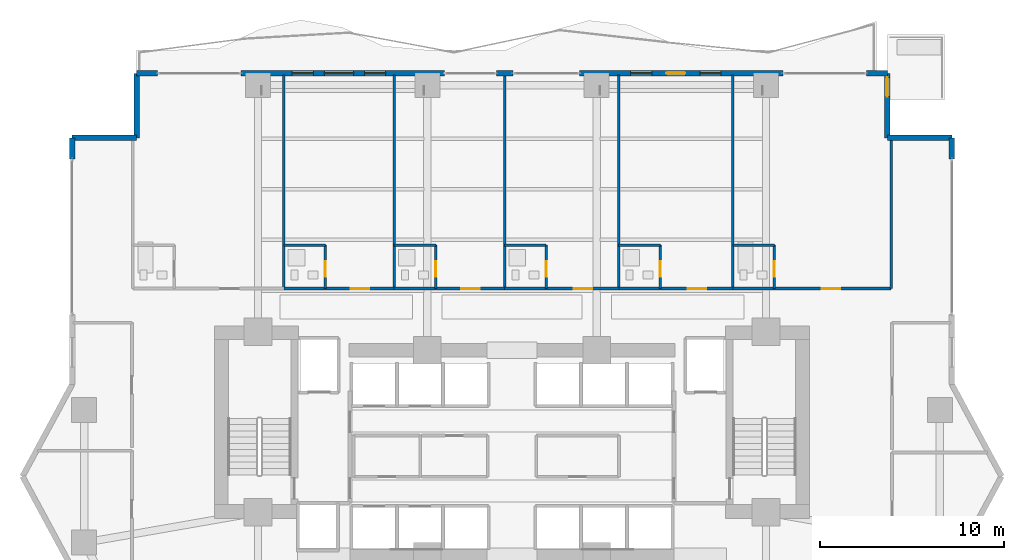
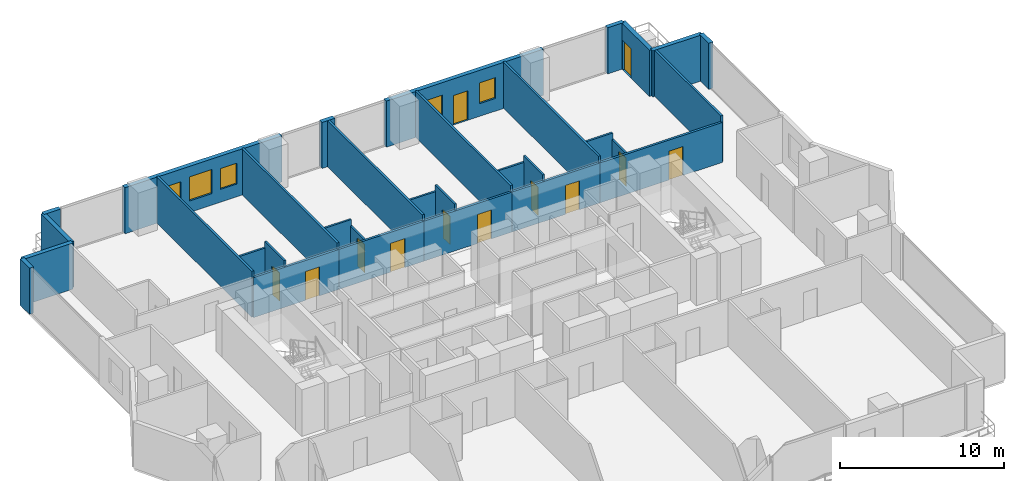
# One storey, part 24 of 29: 32 walls, 12 doors, 5 windows, 17 openings.
"""IFC4 building model written with IfcOpenShell, lengths in metres."""

from ifc_helpers import new_model, si_unit, direction, frame, frame_2d, origin, place, context, subcontext, project, spatial, rectangle, extrude, material, layer, layer_set, type_object, element, fill, save


model = new_model("IFC4")

# Units and contexts
model_context = context("Model", 3, precision=1e-05, world=origin(), true_north=direction((0.0, 1.0)))
body_context = subcontext(model_context, "Body", "Model", "MODEL_VIEW")
ifc_project = project(units=[si_unit("LENGTHUNIT", "METRE"), si_unit("AREAUNIT", "SQUARE_METRE"), si_unit("VOLUMEUNIT", "CUBIC_METRE"), si_unit("PLANEANGLEUNIT", "RADIAN"), si_unit("MASSUNIT", "GRAM", prefix="KILO")], contexts=[model_context])

# Site, building, storey
site_placement = place(None, origin())
site = spatial("IfcSite", under=ifc_project, at=site_placement, CompositionType="ELEMENT")
building_placement = place(site_placement, origin())
building = spatial("IfcBuilding", under=site, at=building_placement, Name="Zuhayl Quay Hotel", CompositionType="ELEMENT")
storey_placement = place(building_placement, frame((0.0, 0.0, 95.64990234375)))
storey = spatial("IfcBuildingStorey", under=building, at=storey_placement, Name="L23", CompositionType="ELEMENT", Elevation=95.64990234375)

# Walls
ifc_material_1 = material(Name="Precast concrete C45/55", Category="concrete")
ifc_layer_1 = layer(ifc_material_1, 0.300048828125, Name="Precast concrete C45/55", Category="concrete")
ifc_layer_set_1 = layer_set([ifc_layer_1], Name="Precast concrete C45/55")
wall_type_1 = type_object("IfcWallType", Name="WL_EXT_300", PredefinedType="STANDARD", material=ifc_layer_set_1)
wall_1_placement = place(storey_placement, frame((-23.89990234375, 23.75, 0.0), z_axis=(0.0, 0.0, 1.0), x_axis=(0.0, 1.0, 0.0)))
element("IfcWall", 1, at=wall_1_placement, inside=storey, type_object=wall_type_1, Name="L23 Exterior Precast Wall ENV_L23_E05_EW2", PredefinedType="STANDARD", context=body_context, shape_type="SweptSolid", body=[
    extrude(rectangle(XDim=1.14990234375, YDim=0.300048828125, at=frame_2d((0.574951171875, 0.0))), origin(), (0.0, 0.0, 1.0), 3.43017578125),
])
for number, where, z_axis, x_axis, name in (
    (2, (-23.89990234375, 24.89990234375, 0.0), (0.0, 0.0, 1.0), (1.0, 0.0, 0.0), "L23 Exterior Precast Wall ENV_L23_EW06"),
    (3, (-20.39990234375, 24.89990234375, 0.0), (0.0, 0.0, 1.0), (0.0, 1.0, 0.0), "L23 Exterior Precast Wall ENV_L23_EW07"),
):
    element("IfcWall", number, at=place(storey_placement, frame(where, z_axis=z_axis, x_axis=x_axis)), inside=storey, type_object=wall_type_1, Name=name, PredefinedType="STANDARD", context=body_context, shape_type="SweptSolid", body=[
        extrude(rectangle(XDim=3.5, YDim=0.300048828125, at=frame_2d((1.75, 0.0))), origin(), (0.0, 0.0, 1.0), 3.43017578125),
    ])
wall_2_placement = place(storey_placement, frame((-20.39990234375, 28.39990234375, 0.0), z_axis=(0.0, 0.0, 1.0), x_axis=(1.0, 0.0, 0.0)))
element("IfcWall", 4, at=wall_2_placement, inside=storey, type_object=wall_type_1, Name="L23 Exterior Precast Wall ENV_L23_N_EW1", PredefinedType="STANDARD", context=body_context, shape_type="SweptSolid", body=[
    extrude(rectangle(XDim=1.14990234375, YDim=0.300048828125, at=frame_2d((0.574951171875, 0.0))), origin(), (0.0, 0.0, 1.0), 3.43017578125),
])

# Wall, openings, windows
wall_3_placement = place(storey_placement, frame((-14.719970703125, 28.39990234375, 0.0), z_axis=(0.0, 0.0, 1.0), x_axis=(1.0, 0.0, 0.0)))
wall_3 = element("IfcWall", 5, at=wall_3_placement, inside=storey, type_object=wall_type_1, Name="L23 Exterior Precast Wall ENV_L23_N_EW2", PredefinedType="STANDARD", context=body_context, shape_type="SweptSolid", body=[
    extrude(rectangle(XDim=11.0400390625, YDim=0.300048828125, at=frame_2d((5.52001953125, 0.0))), origin(), (0.0, 0.0, 1.0), 3.43017578125),
])
opening_1_placement = place(wall_3_placement, frame((4.52001953125, 0.0, 0.85009765625)))
opening_1 = element("IfcOpeningElement", 6, at=opening_1_placement, cuts=wall_3, Name="Opening W01", PredefinedType="OPENING", context=body_context, shape_type="SweptSolid", body=[
    extrude(rectangle(XDim=1.60009765625, YDim=1.800048828125, at=frame_2d((0.800048828125, 0.89990234375))), frame((0.0, 0.159912109375, 0.0), z_axis=(0.0, -1.0, 0.0), x_axis=(1.0, 0.0, 0.0)), (0.0, 0.0, 1.0), 0.320068359375),
])
opening_2_placement = place(wall_3_placement, frame((2.780029296875, 0.0, 0.949951171875)))
opening_2 = element("IfcOpeningElement", 7, at=opening_2_placement, cuts=wall_3, Name="Opening W01N", PredefinedType="OPENING", context=body_context, shape_type="SweptSolid", body=[
    extrude(rectangle(XDim=1.14990234375, YDim=1.550048828125, at=frame_2d((0.574951171875, 0.77490234375))), frame((0.0, 0.159912109375, 0.0), z_axis=(0.0, -1.0, 0.0), x_axis=(1.0, 0.0, 0.0)), (0.0, 0.0, 1.0), 0.320068359375),
])
opening_3_placement = place(wall_3_placement, frame((6.7099609375, 0.0, 0.949951171875)))
opening_3 = element("IfcOpeningElement", 8, at=opening_3_placement, cuts=wall_3, Name="Opening W01N", PredefinedType="OPENING", context=body_context, shape_type="SweptSolid", body=[
    extrude(rectangle(XDim=1.14990234375, YDim=1.550048828125, at=frame_2d((0.574951171875, 0.77490234375))), frame((0.0, 0.159912109375, 0.0), z_axis=(0.0, -1.0, 0.0), x_axis=(1.0, 0.0, 0.0)), (0.0, 0.0, 1.0), 0.320068359375),
])
ifc_material_2 = material(Name="Dark Ceramic-Fritted Solar Glass", Category="glass")
window_type_1 = type_object("IfcWindowType", Name="WN_NOTCH_1350", PartitioningType="SINGLE_PANEL", PredefinedType="WINDOW", material=ifc_material_2)
window_1_placement = place(opening_2_placement, origin())
window_1 = element("IfcWindow", 9, at=window_1_placement, inside=storey, type_object=window_type_1, Name="L23 Operable Facade Window 2-1", OverallHeight=1.550048828125, OverallWidth=1.14990234375, PartitioningType="SINGLE_PANEL", PredefinedType="WINDOW", context=body_context, shape_type="SweptSolid", body=[
    extrude(rectangle(XDim=1.14990234375, YDim=1.550048828125, at=frame_2d((0.574951171875, 0.77490234375))), frame((0.0, 0.030029296875, 0.0), z_axis=(0.0, -1.0, 0.0), x_axis=(1.0, 0.0, 0.0)), (0.0, 0.0, 1.0), 0.06005859375),
])
fill(opening_2, window_1)
window_2_placement = place(opening_3_placement, origin())
window_2 = element("IfcWindow", 10, at=window_2_placement, inside=storey, type_object=window_type_1, Name="L23 Operable Facade Window 2-2", OverallHeight=1.550048828125, OverallWidth=1.14990234375, PartitioningType="SINGLE_PANEL", PredefinedType="WINDOW", context=body_context, shape_type="SweptSolid", body=[
    extrude(rectangle(XDim=1.14990234375, YDim=1.550048828125, at=frame_2d((0.574951171875, 0.77490234375))), frame((0.0, 0.030029296875, 0.0), z_axis=(0.0, -1.0, 0.0), x_axis=(1.0, 0.0, 0.0)), (0.0, 0.0, 1.0), 0.06005859375),
])
fill(opening_3, window_2)
window_type_2 = type_object("IfcWindowType", Name="WN_OPERABLE_1600", PartitioningType="DOUBLE_PANEL_VERTICAL", PredefinedType="WINDOW", material=ifc_material_2)
window_3_placement = place(opening_1_placement, origin())
window_3 = element("IfcWindow", 11, at=window_3_placement, inside=storey, type_object=window_type_2, Name="L23 North Operable Casement Window", OverallHeight=1.800048828125, OverallWidth=1.60009765625, PartitioningType="SINGLE_PANEL", PredefinedType="WINDOW", context=body_context, shape_type="SweptSolid", body=[
    extrude(rectangle(XDim=1.60009765625, YDim=1.800048828125, at=frame_2d((0.800048828125, 0.89990234375))), frame((0.0, 0.030029296875, 0.0), z_axis=(0.0, -1.0, 0.0), x_axis=(1.0, 0.0, 0.0)), (0.0, 0.0, 1.0), 0.06005859375),
])
fill(opening_1, window_3)

# Wall
wall_4_placement = place(storey_placement, frame((-0.85009765625, 28.39990234375, 0.0), z_axis=(0.0, 0.0, 1.0), x_axis=(1.0, 0.0, 0.0)))
element("IfcWall", 12, at=wall_4_placement, inside=storey, type_object=wall_type_1, Name="L23 Exterior Precast Wall ENV_L23_N_EW3", PredefinedType="STANDARD", context=body_context, shape_type="SweptSolid", body=[
    extrude(rectangle(XDim=0.900146484375, YDim=0.300048828125, at=frame_2d((0.4501953125, 0.0))), origin(), (0.0, 0.0, 1.0), 3.43017578125),
])

# Wall, openings, door, windows
wall_5_placement = place(storey_placement, frame((3.679931640625, 28.39990234375, 0.0), z_axis=(0.0, 0.0, 1.0), x_axis=(1.0, 0.0, 0.0)))
wall_5 = element("IfcWall", 13, at=wall_5_placement, inside=storey, type_object=wall_type_1, Name="L23 Exterior Precast Wall ENV_L23_N_EW4", PredefinedType="STANDARD", context=body_context, shape_type="SweptSolid", body=[
    extrude(rectangle(XDim=11.0400390625, YDim=0.300048828125, at=frame_2d((5.52001953125, 0.0))), origin(), (0.0, 0.0, 1.0), 3.43017578125),
])
opening_4_placement = place(wall_5_placement, frame((4.695068359375, 0.0, 0.0)))
opening_4 = element("IfcOpeningElement", 14, at=opening_4_placement, cuts=wall_5, Name="Opening DG1", PredefinedType="OPENING", context=body_context, shape_type="SweptSolid", body=[
    extrude(rectangle(XDim=1.050048828125, YDim=2.199951171875, at=frame_2d((0.52490234375, 1.10009765625))), frame((0.0, 0.159912109375, 0.0), z_axis=(0.0, -1.0, 0.0), x_axis=(1.0, 0.0, 0.0)), (0.0, 0.0, 1.0), 0.320068359375),
])
opening_5_placement = place(wall_5_placement, frame((2.767578125, 0.0, 0.949951171875)))
opening_5 = element("IfcOpeningElement", 15, at=opening_5_placement, cuts=wall_5, Name="Opening W01N", PredefinedType="OPENING", context=body_context, shape_type="SweptSolid", body=[
    extrude(rectangle(XDim=1.14990234375, YDim=1.550048828125, at=frame_2d((0.574951171875, 0.77490234375))), frame((0.0, 0.159912109375, 0.0), z_axis=(0.0, -1.0, 0.0), x_axis=(1.0, 0.0, 0.0)), (0.0, 0.0, 1.0), 0.320068359375),
])
opening_6_placement = place(wall_5_placement, frame((6.5224609375, 0.0, 0.949951171875)))
opening_6 = element("IfcOpeningElement", 16, at=opening_6_placement, cuts=wall_5, Name="Opening W01N", PredefinedType="OPENING", context=body_context, shape_type="SweptSolid", body=[
    extrude(rectangle(XDim=1.14990234375, YDim=1.550048828125, at=frame_2d((0.574951171875, 0.77490234375))), frame((0.0, 0.159912109375, 0.0), z_axis=(0.0, -1.0, 0.0), x_axis=(1.0, 0.0, 0.0)), (0.0, 0.0, 1.0), 0.320068359375),
])
ifc_material_3 = material(Name="Anodised Aluminium and Dark Solar Glass", Category="aluminium")
door_type_1 = type_object("IfcDoorType", Name="DR_EXT_TERR_1050", OperationType="NOTDEFINED", PredefinedType="DOOR", material=ifc_material_3)
door_1_placement = place(opening_4_placement, origin())
door_1 = element("IfcDoor", 17, at=door_1_placement, inside=storey, type_object=door_type_1, Name="L23 North Rippling Balcony Door", OperationType="SINGLE_SWING_LEFT", OverallHeight=2.199951171875, OverallWidth=1.050048828125, PredefinedType="DOOR", context=body_context, shape_type="SweptSolid", body=[
    extrude(rectangle(XDim=1.050048828125, YDim=2.199951171875, at=frame_2d((0.52490234375, 1.10009765625))), frame((0.0, 0.02490234375, 0.0), z_axis=(0.0, -1.0, 0.0), x_axis=(1.0, 0.0, 0.0)), (0.0, 0.0, 1.0), 0.050048828125),
])
fill(opening_4, door_1)
window_4_placement = place(opening_5_placement, origin())
window_4 = element("IfcWindow", 18, at=window_4_placement, inside=storey, type_object=window_type_1, Name="L23 Operable Facade Window 4-1", OverallHeight=1.550048828125, OverallWidth=1.14990234375, PartitioningType="SINGLE_PANEL", PredefinedType="WINDOW", context=body_context, shape_type="SweptSolid", body=[
    extrude(rectangle(XDim=1.14990234375, YDim=1.550048828125, at=frame_2d((0.574951171875, 0.77490234375))), frame((0.0, 0.030029296875, 0.0), z_axis=(0.0, -1.0, 0.0), x_axis=(1.0, 0.0, 0.0)), (0.0, 0.0, 1.0), 0.06005859375),
])
fill(opening_5, window_4)
window_5_placement = place(opening_6_placement, origin())
window_5 = element("IfcWindow", 19, at=window_5_placement, inside=storey, type_object=window_type_1, Name="L23 Operable Facade Window 4-2", OverallHeight=1.550048828125, OverallWidth=1.14990234375, PartitioningType="SINGLE_PANEL", PredefinedType="WINDOW", context=body_context, shape_type="SweptSolid", body=[
    extrude(rectangle(XDim=1.14990234375, YDim=1.550048828125, at=frame_2d((0.574951171875, 0.77490234375))), frame((0.0, 0.030029296875, 0.0), z_axis=(0.0, -1.0, 0.0), x_axis=(1.0, 0.0, 0.0)), (0.0, 0.0, 1.0), 0.06005859375),
])
fill(opening_6, window_5)

# Wall
wall_6_placement = place(storey_placement, frame((19.25, 28.39990234375, 0.0), z_axis=(0.0, 0.0, 1.0), x_axis=(1.0, 0.0, 0.0)))
element("IfcWall", 20, at=wall_6_placement, inside=storey, type_object=wall_type_1, Name="L23 Exterior Precast Wall ENV_L23_N_EW5", PredefinedType="STANDARD", context=body_context, shape_type="SweptSolid", body=[
    extrude(rectangle(XDim=1.14990234375, YDim=0.300048828125, at=frame_2d((0.574951171875, 0.0))), origin(), (0.0, 0.0, 1.0), 3.43017578125),
])

# Wall, opening, door
wall_7_placement = place(storey_placement, frame((20.39990234375, 28.39990234375, 0.0), z_axis=(0.0, 0.0, 1.0), x_axis=(0.0, -1.0, 0.0)))
wall_7 = element("IfcWall", 21, at=wall_7_placement, inside=storey, type_object=wall_type_1, Name="L23 Exterior Precast Wall ENV_L23_SP_NE", PredefinedType="STANDARD", context=body_context, shape_type="SweptSolid", body=[
    extrude(rectangle(XDim=3.5, YDim=0.300048828125, at=frame_2d((1.75, 0.0))), origin(), (0.0, 0.0, 1.0), 3.43017578125),
])
opening_7_placement = place(wall_7_placement, frame((0.219970703125, 0.0, 0.0)))
opening_7 = element("IfcOpeningElement", 22, at=opening_7_placement, cuts=wall_7, Name="Opening DG1", PredefinedType="OPENING", context=body_context, shape_type="SweptSolid", body=[
    extrude(rectangle(XDim=1.050048828125, YDim=2.199951171875, at=frame_2d((0.52490234375, 1.10009765625))), frame((0.0, 0.159912109375, 0.0), z_axis=(0.0, -1.0, 0.0), x_axis=(1.0, 0.0, 0.0)), (0.0, 0.0, 1.0), 0.320068359375),
])
door_2_placement = place(opening_7_placement, origin())
door_2 = element("IfcDoor", 23, at=door_2_placement, inside=storey, type_object=door_type_1, Name="L23 Spiral Sky-Terrace NE Access Door", OperationType="SINGLE_SWING_LEFT", OverallHeight=2.199951171875, OverallWidth=1.050048828125, PredefinedType="DOOR", context=body_context, shape_type="SweptSolid", body=[
    extrude(rectangle(XDim=1.050048828125, YDim=2.199951171875, at=frame_2d((0.52490234375, 1.10009765625))), frame((0.0, 0.02490234375, 0.0), z_axis=(0.0, -1.0, 0.0), x_axis=(1.0, 0.0, 0.0)), (0.0, 0.0, 1.0), 0.050048828125),
])
fill(opening_7, door_2)

# Walls
wall_8_placement = place(storey_placement, frame((20.39990234375, 24.89990234375, 0.0), z_axis=(0.0, 0.0, 1.0), x_axis=(1.0, 0.0, 0.0)))
element("IfcWall", 24, at=wall_8_placement, inside=storey, type_object=wall_type_1, Name="L23 Exterior Precast Wall ENV_L23_EW10", PredefinedType="STANDARD", context=body_context, shape_type="SweptSolid", body=[
    extrude(rectangle(XDim=3.5, YDim=0.300048828125, at=frame_2d((1.75, 0.0))), origin(), (0.0, 0.0, 1.0), 3.43017578125),
])
wall_9_placement = place(storey_placement, frame((23.89990234375, 24.89990234375, 0.0), z_axis=(0.0, 0.0, 1.0), x_axis=(0.0, -1.0, 0.0)))
element("IfcWall", 25, at=wall_9_placement, inside=storey, type_object=wall_type_1, Name="L23 Exterior Precast Wall ENV_L23_E11_EW1", PredefinedType="STANDARD", context=body_context, shape_type="SweptSolid", body=[
    extrude(rectangle(XDim=1.14990234375, YDim=0.300048828125, at=frame_2d((0.574951171875, 0.0))), origin(), (0.0, 0.0, 1.0), 3.43017578125),
])
ifc_material_4 = material(Name="Acoustic Gypsum Partition STC-58")
ifc_layer_2 = layer(ifc_material_4, 0.14990234375, Name="Acoustic Gypsum Partition STC-58")
ifc_layer_set_2 = layer_set([ifc_layer_2], Name="Acoustic Gypsum Partition STC-58")
wall_type_2 = type_object("IfcWallType", Name="WL_PART_150", PredefinedType="PARTITIONING", material=ifc_layer_set_2)
for number, where, z_axis, x_axis, name in (
    (26, (-12.39990234375, 16.699951171875, 0.0), (0.0, 0.0, 1.0), (0.0, 1.0, 0.0), "L23 Partition IW_L23_NU01_E"),
    (27, (-6.39990234375, 16.699951171875, 0.0), (0.0, 0.0, 1.0), (0.0, 1.0, 0.0), "L23 Partition IW_L23_NU02_E"),
    (28, (-0.39990234375, 16.699951171875, 0.0), (0.0, 0.0, 1.0), (0.0, 1.0, 0.0), "L23 Partition IW_L23_NU03_E"),
    (29, (5.800048828125, 16.699951171875, 0.0), (0.0, 0.0, 1.0), (0.0, 1.0, 0.0), "L23 Partition IW_L23_NU04_E"),
    (30, (12.0, 16.699951171875, 0.0), (0.0, 0.0, 1.0), (0.0, 1.0, 0.0), "L23 Partition IW_L23_NU05_E"),
):
    element("IfcWall", number, at=place(storey_placement, frame(where, z_axis=z_axis, x_axis=x_axis)), inside=storey, type_object=wall_type_2, Name=name, PredefinedType="PARTITIONING", context=body_context, shape_type="SweptSolid", body=[
        extrude(rectangle(XDim=11.6201171875, YDim=0.14990234375, at=frame_2d((5.81005859375, 0.0))), origin(), (0.0, 0.0, 1.0), 3.43017578125),
    ])
wall_10_placement = place(storey_placement, frame((20.60009765625, 16.699951171875, 0.0), z_axis=(0.0, 0.0, 1.0), x_axis=(0.0, 1.0, 0.0)))
element("IfcWall", 31, at=wall_10_placement, inside=storey, type_object=wall_type_2, Name="L23 Partition IW_L23_NU06_E", PredefinedType="PARTITIONING", context=body_context, shape_type="SweptSolid", body=[
    extrude(rectangle(XDim=8.199951171875, YDim=0.14990234375, at=frame_2d((4.10009765625, 0.0))), origin(), (0.0, 0.0, 1.0), 3.43017578125),
])

# Wall, opening, door
ifc_layer_3 = layer(ifc_material_4, 0.159912109375, Name="Acoustic Gypsum Partition STC-58")
ifc_layer_set_3 = layer_set([ifc_layer_3], Name="Acoustic Gypsum Partition STC-58")
wall_type_3 = type_object("IfcWallType", Name="WL_PART_CORR_160", PredefinedType="PARTITIONING", material=ifc_layer_set_3)
wall_11_placement = place(storey_placement, frame((-12.39990234375, 16.699951171875, 0.0), z_axis=(0.0, 0.0, 1.0), x_axis=(1.0, 0.0, 0.0)))
wall_11 = element("IfcWall", 32, at=wall_11_placement, inside=storey, type_object=wall_type_3, Name="L23 Partition IW_L23_NU02_COR", PredefinedType="PARTITIONING", context=body_context, shape_type="SweptSolid", body=[
    extrude(rectangle(XDim=6.0, YDim=0.159912109375, at=frame_2d((3.0, 0.0))), origin(), (0.0, 0.0, 1.0), 2.97314453125),
])
opening_8_placement = place(wall_11_placement, frame((3.64990234375, 0.0, 0.0)))
opening_8 = element("IfcOpeningElement", 33, at=opening_8_placement, cuts=wall_11, Name="Opening D03L", PredefinedType="OPENING", context=body_context, shape_type="SweptSolid", body=[
    extrude(rectangle(XDim=1.0, YDim=2.14990234375, at=frame_2d((0.5, 1.074951171875))), frame((0.0, 0.08984375, 0.0), z_axis=(0.0, -1.0, 0.0), x_axis=(1.0, 0.0, 0.0)), (0.0, 0.0, 1.0), 0.179931640625),
])
ifc_material_5 = material(Name="Solid Walnut Acoustic Fire Door")
door_type_2 = type_object("IfcDoorType", Name="DR_SUITE_1000", OperationType="NOTDEFINED", PredefinedType="DOOR", material=ifc_material_5)
door_3_placement = place(opening_8_placement, origin())
door_3 = element("IfcDoor", 34, at=door_3_placement, inside=storey, type_object=door_type_2, Name="L23 Executive Suite L23-02 Entrance Door", OperationType="SINGLE_SWING_LEFT", OverallHeight=2.14990234375, OverallWidth=1.0, PredefinedType="DOOR", context=body_context, shape_type="SweptSolid", body=[
    extrude(rectangle(XDim=1.0, YDim=2.14990234375, at=frame_2d((0.5, 1.074951171875))), frame((0.0, 0.02490234375, 0.0), z_axis=(0.0, -1.0, 0.0), x_axis=(1.0, 0.0, 0.0)), (0.0, 0.0, 1.0), 0.050048828125),
])
fill(opening_8, door_3)

wall_12_placement = place(storey_placement, frame((-6.39990234375, 16.699951171875, 0.0), z_axis=(0.0, 0.0, 1.0), x_axis=(1.0, 0.0, 0.0)))
wall_12 = element("IfcWall", 35, at=wall_12_placement, inside=storey, type_object=wall_type_3, Name="L23 Partition IW_L23_NU03_COR", PredefinedType="PARTITIONING", context=body_context, shape_type="SweptSolid", body=[
    extrude(rectangle(XDim=6.0, YDim=0.159912109375, at=frame_2d((3.0, 0.0))), origin(), (0.0, 0.0, 1.0), 2.97314453125),
])
opening_9_placement = place(wall_12_placement, frame((3.64990234375, 0.0, 0.0)))
opening_9 = element("IfcOpeningElement", 36, at=opening_9_placement, cuts=wall_12, Name="Opening D03L", PredefinedType="OPENING", context=body_context, shape_type="SweptSolid", body=[
    extrude(rectangle(XDim=1.0, YDim=2.14990234375, at=frame_2d((0.5, 1.074951171875))), frame((0.0, 0.08984375, 0.0), z_axis=(0.0, -1.0, 0.0), x_axis=(1.0, 0.0, 0.0)), (0.0, 0.0, 1.0), 0.179931640625),
])
door_4_placement = place(opening_9_placement, origin())
door_4 = element("IfcDoor", 37, at=door_4_placement, inside=storey, type_object=door_type_2, Name="L23 Executive Suite L23-03 Entrance Door", OperationType="SINGLE_SWING_LEFT", OverallHeight=2.14990234375, OverallWidth=1.0, PredefinedType="DOOR", context=body_context, shape_type="SweptSolid", body=[
    extrude(rectangle(XDim=1.0, YDim=2.14990234375, at=frame_2d((0.5, 1.074951171875))), frame((0.0, 0.02490234375, 0.0), z_axis=(0.0, -1.0, 0.0), x_axis=(1.0, 0.0, 0.0)), (0.0, 0.0, 1.0), 0.050048828125),
])
fill(opening_9, door_4)

wall_13_placement = place(storey_placement, frame((-0.39990234375, 16.699951171875, 0.0), z_axis=(0.0, 0.0, 1.0), x_axis=(1.0, 0.0, 0.0)))
wall_13 = element("IfcWall", 38, at=wall_13_placement, inside=storey, type_object=wall_type_3, Name="L23 Partition IW_L23_NU04_COR", PredefinedType="PARTITIONING", context=body_context, shape_type="SweptSolid", body=[
    extrude(rectangle(XDim=6.199951171875, YDim=0.159912109375, at=frame_2d((3.10009765625, 0.0))), origin(), (0.0, 0.0, 1.0), 2.97314453125),
])
opening_10_placement = place(wall_13_placement, frame((3.75, 0.0, 0.0)))
opening_10 = element("IfcOpeningElement", 39, at=opening_10_placement, cuts=wall_13, Name="Opening D03L", PredefinedType="OPENING", context=body_context, shape_type="SweptSolid", body=[
    extrude(rectangle(XDim=1.0, YDim=2.14990234375, at=frame_2d((0.5, 1.074951171875))), frame((0.0, 0.08984375, 0.0), z_axis=(0.0, -1.0, 0.0), x_axis=(1.0, 0.0, 0.0)), (0.0, 0.0, 1.0), 0.179931640625),
])
door_5_placement = place(opening_10_placement, origin())
door_5 = element("IfcDoor", 40, at=door_5_placement, inside=storey, type_object=door_type_2, Name="L23 Executive Suite L23-04 Entrance Door", OperationType="SINGLE_SWING_LEFT", OverallHeight=2.14990234375, OverallWidth=1.0, PredefinedType="DOOR", context=body_context, shape_type="SweptSolid", body=[
    extrude(rectangle(XDim=1.0, YDim=2.14990234375, at=frame_2d((0.5, 1.074951171875))), frame((0.0, 0.02490234375, 0.0), z_axis=(0.0, -1.0, 0.0), x_axis=(1.0, 0.0, 0.0)), (0.0, 0.0, 1.0), 0.050048828125),
])
fill(opening_10, door_5)

wall_14_placement = place(storey_placement, frame((5.800048828125, 16.699951171875, 0.0), z_axis=(0.0, 0.0, 1.0), x_axis=(1.0, 0.0, 0.0)))
wall_14 = element("IfcWall", 41, at=wall_14_placement, inside=storey, type_object=wall_type_3, Name="L23 Partition IW_L23_NU05_COR", PredefinedType="PARTITIONING", context=body_context, shape_type="SweptSolid", body=[
    extrude(rectangle(XDim=6.199951171875, YDim=0.159912109375, at=frame_2d((3.10009765625, 0.0))), origin(), (0.0, 0.0, 1.0), 2.97314453125),
])
opening_11_placement = place(wall_14_placement, frame((3.75, 0.0, 0.0)))
opening_11 = element("IfcOpeningElement", 42, at=opening_11_placement, cuts=wall_14, Name="Opening D03L", PredefinedType="OPENING", context=body_context, shape_type="SweptSolid", body=[
    extrude(rectangle(XDim=1.0, YDim=2.14990234375, at=frame_2d((0.5, 1.074951171875))), frame((0.0, 0.08984375, 0.0), z_axis=(0.0, -1.0, 0.0), x_axis=(1.0, 0.0, 0.0)), (0.0, 0.0, 1.0), 0.179931640625),
])
door_6_placement = place(opening_11_placement, origin())
door_6 = element("IfcDoor", 43, at=door_6_placement, inside=storey, type_object=door_type_2, Name="L23 Executive Suite L23-05 Entrance Door", OperationType="SINGLE_SWING_LEFT", OverallHeight=2.14990234375, OverallWidth=1.0, PredefinedType="DOOR", context=body_context, shape_type="SweptSolid", body=[
    extrude(rectangle(XDim=1.0, YDim=2.14990234375, at=frame_2d((0.5, 1.074951171875))), frame((0.0, 0.02490234375, 0.0), z_axis=(0.0, -1.0, 0.0), x_axis=(1.0, 0.0, 0.0)), (0.0, 0.0, 1.0), 0.050048828125),
])
fill(opening_11, door_6)

wall_15_placement = place(storey_placement, frame((12.0, 16.699951171875, 0.0), z_axis=(0.0, 0.0, 1.0), x_axis=(1.0, 0.0, 0.0)))
wall_15 = element("IfcWall", 44, at=wall_15_placement, inside=storey, type_object=wall_type_3, Name="L23 Partition IW_L23_NU06_COR", PredefinedType="PARTITIONING", context=body_context, shape_type="SweptSolid", body=[
    extrude(rectangle(XDim=8.60009765625, YDim=0.159912109375, at=frame_2d((4.300048828125, 0.0))), origin(), (0.0, 0.0, 1.0), 2.97314453125),
])
opening_12_placement = place(wall_15_placement, frame((4.824951171875, 0.0, 0.0)))
opening_12 = element("IfcOpeningElement", 45, at=opening_12_placement, cuts=wall_15, Name="Opening D03L", PredefinedType="OPENING", context=body_context, shape_type="SweptSolid", body=[
    extrude(rectangle(XDim=1.0, YDim=2.14990234375, at=frame_2d((0.5, 1.074951171875))), frame((0.0, 0.08984375, 0.0), z_axis=(0.0, -1.0, 0.0), x_axis=(1.0, 0.0, 0.0)), (0.0, 0.0, 1.0), 0.179931640625),
])
door_7_placement = place(opening_12_placement, origin())
door_7 = element("IfcDoor", 46, at=door_7_placement, inside=storey, type_object=door_type_2, Name="L23 Executive Suite L23-06 Entrance Door", OperationType="SINGLE_SWING_LEFT", OverallHeight=2.14990234375, OverallWidth=1.0, PredefinedType="DOOR", context=body_context, shape_type="SweptSolid", body=[
    extrude(rectangle(XDim=1.0, YDim=2.14990234375, at=frame_2d((0.5, 1.074951171875))), frame((0.0, 0.02490234375, 0.0), z_axis=(0.0, -1.0, 0.0), x_axis=(1.0, 0.0, 0.0)), (0.0, 0.0, 1.0), 0.050048828125),
])
fill(opening_12, door_7)

ifc_material_6 = material(Name="Moisture-Resistant Sanitarychase Gypsum")
ifc_layer_4 = layer(ifc_material_6, 0.135009765625, Name="Moisture-Resistant Sanitarychase Gypsum")
ifc_layer_set_4 = layer_set([ifc_layer_4], Name="Moisture-Resistant Sanitarychase Gypsum")
wall_type_4 = type_object("IfcWallType", Name="WL_PART_PLUMB_150", PredefinedType="PLUMBINGWALL", material=ifc_layer_set_4)
wall_16_placement = place(storey_placement, frame((-10.139892578125, 16.699951171875, 0.0), z_axis=(0.0, 0.0, 1.0), x_axis=(0.0, 1.0, 0.0)))
wall_16 = element("IfcWall", 47, at=wall_16_placement, inside=storey, type_object=wall_type_4, Name="L23 Partition IW_L23_NU02_BE", PredefinedType="PLUMBINGWALL", context=body_context, shape_type="SweptSolid", body=[
    extrude(rectangle(XDim=2.360107421875, YDim=0.135009765625, at=frame_2d((1.18017578125, 0.0))), origin(), (0.0, 0.0, 1.0), 3.43017578125),
])
opening_13_placement = place(wall_16_placement, frame((0.64990234375, 0.0, 0.0)))
opening_13 = element("IfcOpeningElement", 48, at=opening_13_placement, cuts=wall_16, Name="Opening D04", PredefinedType="OPENING", context=body_context, shape_type="SweptSolid", body=[
    extrude(rectangle(XDim=0.85009765625, YDim=2.10009765625, at=frame_2d((0.425048828125, 1.050048828125))), frame((0.0, 0.077392578125, 0.0), z_axis=(0.0, -1.0, 0.0), x_axis=(1.0, 0.0, 0.0)), (0.0, 0.0, 1.0), 0.155029296875),
])
ifc_material_7 = material(Name="Moisture-Resistant Walnut Veneer")
door_type_3 = type_object("IfcDoorType", Name="DR_BATH_850", OperationType="NOTDEFINED", PredefinedType="DOOR", material=ifc_material_7)
door_8_placement = place(opening_13_placement, origin())
door_8 = element("IfcDoor", 49, at=door_8_placement, inside=storey, type_object=door_type_3, Name="L23 Executive Suite L23-02 En-Suite Door", OperationType="SINGLE_SWING_RIGHT", OverallHeight=2.10009765625, OverallWidth=0.85009765625, PredefinedType="DOOR", context=body_context, shape_type="SweptSolid", body=[
    extrude(rectangle(XDim=0.85009765625, YDim=2.10009765625, at=frame_2d((0.425048828125, 1.050048828125))), frame((0.0, 0.02490234375, 0.0), z_axis=(0.0, -1.0, 0.0), x_axis=(1.0, 0.0, 0.0)), (0.0, 0.0, 1.0), 0.050048828125),
])
fill(opening_13, door_8)

wall_17_placement = place(storey_placement, frame((-4.139892578125, 16.699951171875, 0.0), z_axis=(0.0, 0.0, 1.0), x_axis=(0.0, 1.0, 0.0)))
wall_17 = element("IfcWall", 50, at=wall_17_placement, inside=storey, type_object=wall_type_4, Name="L23 Partition IW_L23_NU03_BE", PredefinedType="PLUMBINGWALL", context=body_context, shape_type="SweptSolid", body=[
    extrude(rectangle(XDim=2.360107421875, YDim=0.135009765625, at=frame_2d((1.18017578125, 0.0))), origin(), (0.0, 0.0, 1.0), 2.503173828125),
])
opening_14_placement = place(wall_17_placement, frame((0.64990234375, 0.0, 0.0)))
opening_14 = element("IfcOpeningElement", 51, at=opening_14_placement, cuts=wall_17, Name="Opening D04", PredefinedType="OPENING", context=body_context, shape_type="SweptSolid", body=[
    extrude(rectangle(XDim=0.85009765625, YDim=2.10009765625, at=frame_2d((0.425048828125, 1.050048828125))), frame((0.0, 0.077392578125, 0.0), z_axis=(0.0, -1.0, 0.0), x_axis=(1.0, 0.0, 0.0)), (0.0, 0.0, 1.0), 0.155029296875),
])
door_9_placement = place(opening_14_placement, origin())
door_9 = element("IfcDoor", 52, at=door_9_placement, inside=storey, type_object=door_type_3, Name="L23 Executive Suite L23-03 En-Suite Door", OperationType="SINGLE_SWING_RIGHT", OverallHeight=2.10009765625, OverallWidth=0.85009765625, PredefinedType="DOOR", context=body_context, shape_type="SweptSolid", body=[
    extrude(rectangle(XDim=0.85009765625, YDim=2.10009765625, at=frame_2d((0.425048828125, 1.050048828125))), frame((0.0, 0.02490234375, 0.0), z_axis=(0.0, -1.0, 0.0), x_axis=(1.0, 0.0, 0.0)), (0.0, 0.0, 1.0), 0.050048828125),
])
fill(opening_14, door_9)

wall_18_placement = place(storey_placement, frame((1.860107421875, 16.699951171875, 0.0), z_axis=(0.0, 0.0, 1.0), x_axis=(0.0, 1.0, 0.0)))
wall_18 = element("IfcWall", 53, at=wall_18_placement, inside=storey, type_object=wall_type_4, Name="L23 Partition IW_L23_NU04_BE", PredefinedType="PLUMBINGWALL", context=body_context, shape_type="SweptSolid", body=[
    extrude(rectangle(XDim=2.360107421875, YDim=0.135009765625, at=frame_2d((1.18017578125, 0.0))), origin(), (0.0, 0.0, 1.0), 3.43017578125),
])
opening_15_placement = place(wall_18_placement, frame((0.64990234375, 0.0, 0.0)))
opening_15 = element("IfcOpeningElement", 54, at=opening_15_placement, cuts=wall_18, Name="Opening D04", PredefinedType="OPENING", context=body_context, shape_type="SweptSolid", body=[
    extrude(rectangle(XDim=0.85009765625, YDim=2.10009765625, at=frame_2d((0.425048828125, 1.050048828125))), frame((0.0, 0.077392578125, 0.0), z_axis=(0.0, -1.0, 0.0), x_axis=(1.0, 0.0, 0.0)), (0.0, 0.0, 1.0), 0.155029296875),
])
door_10_placement = place(opening_15_placement, origin())
door_10 = element("IfcDoor", 55, at=door_10_placement, inside=storey, type_object=door_type_3, Name="L23 Executive Suite L23-04 En-Suite Door", OperationType="SINGLE_SWING_RIGHT", OverallHeight=2.10009765625, OverallWidth=0.85009765625, PredefinedType="DOOR", context=body_context, shape_type="SweptSolid", body=[
    extrude(rectangle(XDim=0.85009765625, YDim=2.10009765625, at=frame_2d((0.425048828125, 1.050048828125))), frame((0.0, 0.02490234375, 0.0), z_axis=(0.0, -1.0, 0.0), x_axis=(1.0, 0.0, 0.0)), (0.0, 0.0, 1.0), 0.050048828125),
])
fill(opening_15, door_10)

wall_19_placement = place(storey_placement, frame((8.06005859375, 16.699951171875, 0.0), z_axis=(0.0, 0.0, 1.0), x_axis=(0.0, 1.0, 0.0)))
wall_19 = element("IfcWall", 56, at=wall_19_placement, inside=storey, type_object=wall_type_4, Name="L23 Partition IW_L23_NU05_BE", PredefinedType="PLUMBINGWALL", context=body_context, shape_type="SweptSolid", body=[
    extrude(rectangle(XDim=2.360107421875, YDim=0.135009765625, at=frame_2d((1.18017578125, 0.0))), origin(), (0.0, 0.0, 1.0), 3.43017578125),
])
opening_16_placement = place(wall_19_placement, frame((0.64990234375, 0.0, 0.0)))
opening_16 = element("IfcOpeningElement", 57, at=opening_16_placement, cuts=wall_19, Name="Opening D04", PredefinedType="OPENING", context=body_context, shape_type="SweptSolid", body=[
    extrude(rectangle(XDim=0.85009765625, YDim=2.10009765625, at=frame_2d((0.425048828125, 1.050048828125))), frame((0.0, 0.077392578125, 0.0), z_axis=(0.0, -1.0, 0.0), x_axis=(1.0, 0.0, 0.0)), (0.0, 0.0, 1.0), 0.155029296875),
])
door_11_placement = place(opening_16_placement, origin())
door_11 = element("IfcDoor", 58, at=door_11_placement, inside=storey, type_object=door_type_3, Name="L23 Executive Suite L23-05 En-Suite Door", OperationType="SINGLE_SWING_RIGHT", OverallHeight=2.10009765625, OverallWidth=0.85009765625, PredefinedType="DOOR", context=body_context, shape_type="SweptSolid", body=[
    extrude(rectangle(XDim=0.85009765625, YDim=2.10009765625, at=frame_2d((0.425048828125, 1.050048828125))), frame((0.0, 0.02490234375, 0.0), z_axis=(0.0, -1.0, 0.0), x_axis=(1.0, 0.0, 0.0)), (0.0, 0.0, 1.0), 0.050048828125),
])
fill(opening_16, door_11)

wall_20_placement = place(storey_placement, frame((14.260009765625, 16.699951171875, 0.0), z_axis=(0.0, 0.0, 1.0), x_axis=(0.0, 1.0, 0.0)))
wall_20 = element("IfcWall", 59, at=wall_20_placement, inside=storey, type_object=wall_type_4, Name="L23 Partition IW_L23_NU06_BE", PredefinedType="PLUMBINGWALL", context=body_context, shape_type="SweptSolid", body=[
    extrude(rectangle(XDim=2.360107421875, YDim=0.135009765625, at=frame_2d((1.18017578125, 0.0))), origin(), (0.0, 0.0, 1.0), 2.503173828125),
])
opening_17_placement = place(wall_20_placement, frame((0.64990234375, 0.0, 0.0)))
opening_17 = element("IfcOpeningElement", 60, at=opening_17_placement, cuts=wall_20, Name="Opening D04", PredefinedType="OPENING", context=body_context, shape_type="SweptSolid", body=[
    extrude(rectangle(XDim=0.85009765625, YDim=2.10009765625, at=frame_2d((0.425048828125, 1.050048828125))), frame((0.0, 0.077392578125, 0.0), z_axis=(0.0, -1.0, 0.0), x_axis=(1.0, 0.0, 0.0)), (0.0, 0.0, 1.0), 0.155029296875),
])
door_12_placement = place(opening_17_placement, origin())
door_12 = element("IfcDoor", 61, at=door_12_placement, inside=storey, type_object=door_type_3, Name="L23 Executive Suite L23-06 En-Suite Door", OperationType="SINGLE_SWING_RIGHT", OverallHeight=2.10009765625, OverallWidth=0.85009765625, PredefinedType="DOOR", context=body_context, shape_type="SweptSolid", body=[
    extrude(rectangle(XDim=0.85009765625, YDim=2.10009765625, at=frame_2d((0.425048828125, 1.050048828125))), frame((0.0, 0.02490234375, 0.0), z_axis=(0.0, -1.0, 0.0), x_axis=(1.0, 0.0, 0.0)), (0.0, 0.0, 1.0), 0.050048828125),
])
fill(opening_17, door_12)

# Walls
for number, where, z_axis, x_axis, name in (
    (62, (-12.39990234375, 19.06005859375, 0.0), (0.0, 0.0, 1.0), (1.0, 0.0, 0.0), "L23 Partition IW_L23_NU02_BN"),
    (63, (-6.39990234375, 19.06005859375, 0.0), (0.0, 0.0, 1.0), (1.0, 0.0, 0.0), "L23 Partition IW_L23_NU03_BN"),
    (64, (-0.39990234375, 19.06005859375, 0.0), (0.0, 0.0, 1.0), (1.0, 0.0, 0.0), "L23 Partition IW_L23_NU04_BN"),
    (65, (5.800048828125, 19.06005859375, 0.0), (0.0, 0.0, 1.0), (1.0, 0.0, 0.0), "L23 Partition IW_L23_NU05_BN"),
    (66, (12.0, 19.06005859375, 0.0), (0.0, 0.0, 1.0), (1.0, 0.0, 0.0), "L23 Partition IW_L23_NU06_BN"),
):
    element("IfcWall", number, at=place(storey_placement, frame(where, z_axis=z_axis, x_axis=x_axis)), inside=storey, type_object=wall_type_4, Name=name, PredefinedType="PLUMBINGWALL", context=body_context, shape_type="SweptSolid", body=[
        extrude(rectangle(XDim=2.260009765625, YDim=0.135009765625, at=frame_2d((1.1298828125, 0.0))), origin(), (0.0, 0.0, 1.0), 2.97314453125),
    ])

save(model, "model.ifc")
